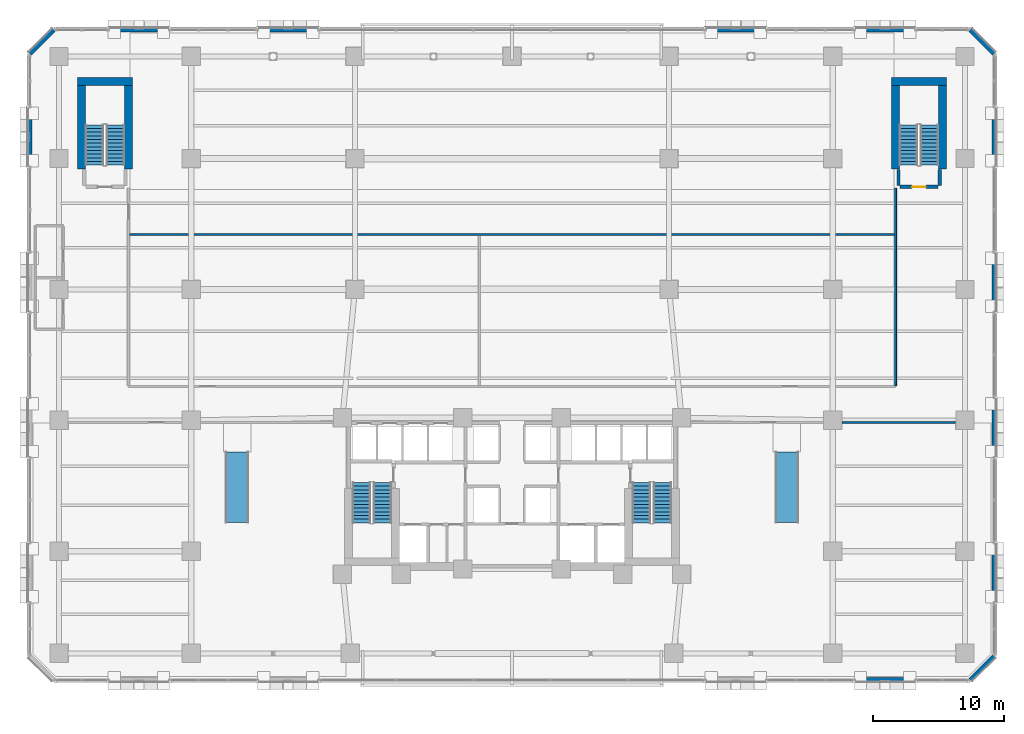
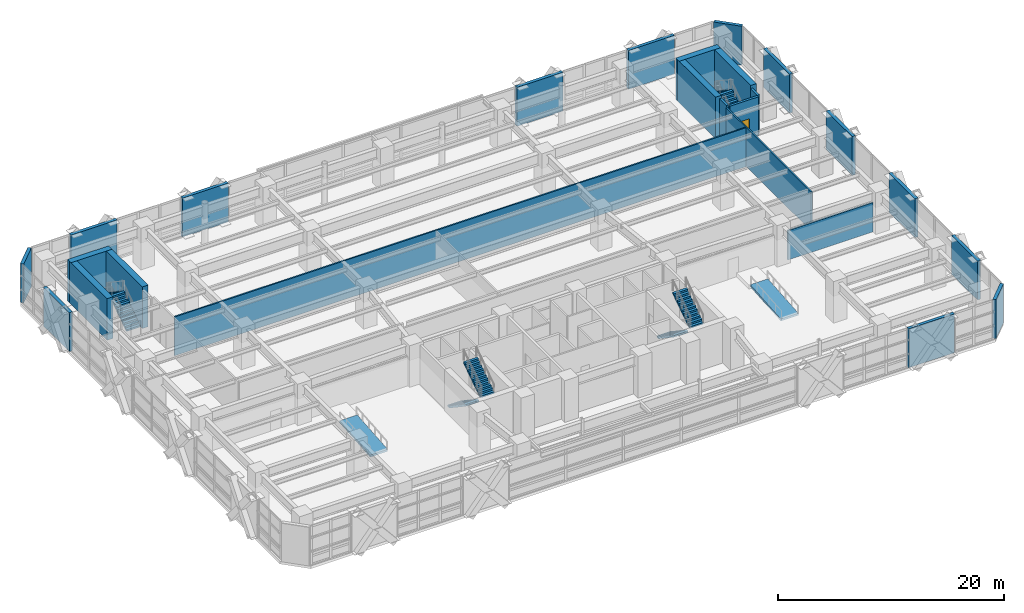
# One storey, part 19 of 30: 25 walls, 8 stair flights, 2 ramp flights, 1 door, 1 opening, 6 elements without a shape of their own.
"""IFC4 building model written with IfcOpenShell, lengths in metres."""

from ifc_helpers import new_model, si_unit, direction, frame, frame_2d, origin, place, context, subcontext, project, spatial, polyline, rectangle, outline, extrude, material, layer, layer_set, type_object, element, fill, aggregate, save


model = new_model("IFC4")

# Units and contexts
model_context = context("Model", 3, precision=1e-05, world=origin(), true_north=direction((0.0, 1.0)))
body_context = subcontext(model_context, "Body", "Model", "MODEL_VIEW")
ifc_project = project(units=[si_unit("LENGTHUNIT", "METRE"), si_unit("AREAUNIT", "SQUARE_METRE"), si_unit("VOLUMEUNIT", "CUBIC_METRE"), si_unit("PLANEANGLEUNIT", "RADIAN"), si_unit("MASSUNIT", "GRAM", prefix="KILO")], contexts=[model_context])

# Site, building, storey
site_placement = place(None, origin())
site = spatial("IfcSite", under=ifc_project, at=site_placement, CompositionType="ELEMENT")
building_placement = place(site_placement, origin())
building = spatial("IfcBuilding", under=site, at=building_placement, Name="Quenlor Broadcast Tower", CompositionType="ELEMENT")
storey_placement = place(building_placement, frame((0.0, 0.0, 9.5)))
storey = spatial("IfcBuildingStorey", under=building, at=storey_placement, Name="L02", CompositionType="ELEMENT", Elevation=9.5)

# Walls
ifc_material_1 = material(Name="Acoustic Double Stud Gypsum Partition", Category="other")
ifc_layer_1 = layer(ifc_material_1, 0.14990234375)
ifc_layer_set_1 = layer_set([ifc_layer_1], Name="Broadcast Studio Acoustic Partition 150")
wall_type_1 = type_object("IfcWallType", Name="Broadcast Studio Acoustic Partition 150", PredefinedType="PARTITIONING", material=ifc_layer_set_1)
wall_1_placement = place(storey_placement, frame((29.300048828125, -2.337890625, 0.0), z_axis=(0.0, 0.0, 1.0), x_axis=(0.0, 1.0, 0.0)))
element("IfcWall", 1, at=wall_1_placement, inside=storey, type_object=wall_type_1, Name="L02 Interior Wall PW-PD-LE", PredefinedType="PARTITIONING", context=body_context, shape_type="SweptSolid", body=[
    extrude(rectangle(XDim=15.087890625, YDim=0.14990234375, at=frame_2d((7.5439453125, 0.0))), origin(), (0.0, 0.0, 1.0), 4.199951171875),
])
wall_2_placement = place(storey_placement, frame((-29.219970703125, 9.199951171875, 0.0), z_axis=(0.0, 0.0, 1.0), x_axis=(1.0, 0.0, 0.0)))
element("IfcWall", 2, at=wall_2_placement, inside=storey, type_object=wall_type_1, Name="L02 Interior Wall PW-PD-HY", PredefinedType="PARTITIONING", context=body_context, shape_type="SweptSolid", body=[
    extrude(rectangle(XDim=58.43994140625, YDim=0.14990234375, at=frame_2d((29.219970703125, 0.0))), origin(), (0.0, 0.0, 1.0), 4.199951171875),
])
ifc_material_2 = material(Name="Concrete C65/80", Category="concrete")
ifc_layer_2 = layer(ifc_material_2, 0.60009765625)
ifc_layer_set_2 = layer_set([ifc_layer_2], Name="Core Concrete C65/80 Shear Wall 600")
wall_type_2 = type_object("IfcWallType", Name="Core Concrete C65/80 Shear Wall 600", PredefinedType="SHEAR", material=ifc_layer_set_2)
wall_3_placement = place(storey_placement, frame((-33.199951171875, 20.89990234375, 0.0), z_axis=(0.0, 0.0, 1.0), x_axis=(1.0, 0.0, 0.0)))
element("IfcWall", 3, at=wall_3_placement, inside=storey, type_object=wall_type_2, Name="L02 Core Shear Wall ST3-N", PredefinedType="SHEAR", context=body_context, shape_type="SweptSolid", body=[
    extrude(rectangle(XDim=4.199951171875, YDim=0.60009765625, at=frame_2d((2.10009765625, 0.0))), origin(), (0.0, 0.0, 1.0), 4.5),
])
for number, where, z_axis, x_axis, name in (
    (4, (-32.89990234375, 14.199951171875, 0.0), (0.0, 0.0, 1.0), (0.0, 1.0, 0.0), "L02 Core Shear Wall ST3-W"),
    (5, (-29.300048828125, 14.199951171875, 0.0), (0.0, 0.0, 1.0), (0.0, 1.0, 0.0), "L02 Core Shear Wall ST3-E"),
):
    element("IfcWall", number, at=place(storey_placement, frame(where, z_axis=z_axis, x_axis=x_axis)), inside=storey, type_object=wall_type_2, Name=name, PredefinedType="SHEAR", context=body_context, shape_type="SweptSolid", body=[
        extrude(rectangle(XDim=6.699951171875, YDim=0.60009765625, at=frame_2d((3.35009765625, 0.0))), origin(), (0.0, 0.0, 1.0), 4.5),
    ])
wall_4_placement = place(storey_placement, frame((29.0, 20.89990234375, 0.0), z_axis=(0.0, 0.0, 1.0), x_axis=(1.0, 0.0, 0.0)))
element("IfcWall", 6, at=wall_4_placement, inside=storey, type_object=wall_type_2, Name="L02 Core Shear Wall ST4-N", PredefinedType="SHEAR", context=body_context, shape_type="SweptSolid", body=[
    extrude(rectangle(XDim=4.199951171875, YDim=0.60009765625, at=frame_2d((2.10009765625, 0.0))), origin(), (0.0, 0.0, 1.0), 4.5),
])
for number, where, z_axis, x_axis, name in (
    (7, (29.300048828125, 14.199951171875, 0.0), (0.0, 0.0, 1.0), (0.0, 1.0, 0.0), "L02 Core Shear Wall ST4-W"),
    (8, (32.89990234375, 14.199951171875, 0.0), (0.0, 0.0, 1.0), (0.0, 1.0, 0.0), "L02 Core Shear Wall ST4-E"),
):
    element("IfcWall", number, at=place(storey_placement, frame(where, z_axis=z_axis, x_axis=x_axis)), inside=storey, type_object=wall_type_2, Name=name, PredefinedType="SHEAR", context=body_context, shape_type="SweptSolid", body=[
        extrude(rectangle(XDim=6.699951171875, YDim=0.60009765625, at=frame_2d((3.35009765625, 0.0))), origin(), (0.0, 0.0, 1.0), 4.5),
    ])

# Wall, opening, door
ifc_material_3 = material(Name="Concrete C40/50", Category="concrete")
ifc_layer_3 = layer(ifc_material_3, 0.25)
ifc_layer_set_3 = layer_set([ifc_layer_3], Name="Fire Rated Concrete C40/50 Core Wall 250")
wall_type_3 = type_object("IfcWallType", Name="Fire Rated Concrete C40/50 Core Wall 250", PredefinedType="PARTITIONING", material=ifc_layer_set_3)
wall_5_placement = place(storey_placement, frame((29.64990234375, 12.840087890625, 0.0), z_axis=(0.0, 0.0, 1.0), x_axis=(1.0, 0.0, 0.0)))
wall_5 = element("IfcWall", 9, at=wall_5_placement, inside=storey, type_object=wall_type_3, Name="L02 Interior Wall CW-ST4-S", PredefinedType="PARTITIONING", context=body_context, shape_type="SweptSolid", body=[
    extrude(rectangle(XDim=2.900146484375, YDim=0.25, at=frame_2d((1.4501953125, 0.0))), origin(), (0.0, 0.0, 1.0), 4.199951171875),
])
opening_placement = place(wall_5_placement, frame((0.919921875, 0.0, 0.0)))
opening = element("IfcOpeningElement", 10, at=opening_placement, cuts=wall_5, Name="Opening FD-1", PredefinedType="OPENING", context=body_context, shape_type="SweptSolid", body=[
    extrude(rectangle(XDim=1.050048828125, YDim=2.14990234375, at=frame_2d((0.52490234375, 1.074951171875))), frame((0.0, 0.135009765625, 0.0), z_axis=(0.0, -1.0, 0.0), x_axis=(1.0, 0.0, 0.0)), (0.0, 0.0, 1.0), 0.27001953125),
])
ifc_material_4 = material(Name="Fire Rated Steel Door Leaf", Category="steel")
door_type = type_object("IfcDoorType", Name="Fire Isolated Stair Door 1050x2150", OperationType="NOTDEFINED", PredefinedType="DOOR", material=ifc_material_4)
door_placement = place(opening_placement, origin())
door = element("IfcDoor", 11, at=door_placement, inside=storey, type_object=door_type, Name="L02 Door DR-ST4", OperationType="SINGLE_SWING_RIGHT", OverallHeight=2.14990234375, OverallWidth=1.050048828125, PredefinedType="DOOR", context=body_context, shape_type="SweptSolid", body=[
    extrude(rectangle(XDim=1.050048828125, YDim=2.14990234375, at=frame_2d((0.52490234375, 1.074951171875))), frame((0.0, 0.02490234375, 0.0), z_axis=(0.0, -1.0, 0.0), x_axis=(1.0, 0.0, 0.0)), (0.0, 0.0, 1.0), 0.050048828125),
])
fill(opening, door)

# Walls
for number, where, z_axis, x_axis, name in (
    (12, (29.52001953125, 12.9599609375, 0.0), (0.0, 0.0, 1.0), (0.0, 1.0, 0.0), "L02 Interior Wall CW-ST4-W1"),
    (13, (32.679931640625, 12.9599609375, 0.0), (0.0, 0.0, 1.0), (0.0, 1.0, 0.0), "L02 Interior Wall CW-ST4-E1"),
):
    element("IfcWall", number, at=place(storey_placement, frame(where, z_axis=z_axis, x_axis=x_axis)), inside=storey, type_object=wall_type_3, Name=name, PredefinedType="PARTITIONING", context=body_context, shape_type="SweptSolid", body=[
        extrude(rectangle(XDim=1.219970703125, YDim=0.25, at=frame_2d((0.60986328125, 0.0))), origin(), (0.0, 0.0, 1.0), 4.199951171875),
    ])
ifc_material_5 = material(Name="Gypsum Fireboard Partition", Category="other")
ifc_layer_4 = layer(ifc_material_5, 0.159912109375)
ifc_layer_set_4 = layer_set([ifc_layer_4], Name="Fire Rated Shaft and Corridor Partition 160")
wall_type_4 = type_object("IfcWallType", Name="Fire Rated Shaft and Corridor Partition 160", PredefinedType="PARTITIONING", material=ifc_layer_set_4)
wall_6_placement = place(storey_placement, frame((25.201904296875, -5.14990234375, 0.0), z_axis=(0.0, 0.0, 1.0), x_axis=(1.0, 0.0, 0.0)))
element("IfcWall", 14, at=wall_6_placement, inside=storey, type_object=wall_type_4, Name="L02 Interior Wall PW-PD-CSES2", PredefinedType="PARTITIONING", context=body_context, shape_type="SweptSolid", body=[
    extrude(rectangle(XDim=8.696044921875, YDim=0.159912109375, at=frame_2d((4.34814453125, 0.0))), origin(), (0.0, 0.0, 1.0), 3.176025390625),
])
ifc_material_6 = material(Name="Precast concrete C40/50", Category="concrete")
ifc_layer_5 = layer(ifc_material_6, 0.320068359375)
ifc_layer_set_5 = layer_set([ifc_layer_5], Name="Station Podium Precast Concrete C40/50 Facade Wall 320")
wall_type_5 = type_object("IfcWallType", Name="Station Podium Precast Concrete C40/50 Facade Wall 320", PredefinedType="STANDARD", material=ifc_layer_set_5)
for number, where, z_axis, x_axis, name in (
    (15, (30.849609375, -24.820068359375, 0.0), (0.0, 0.0, 1.0), (-1.0, 0.0, 0.0), "L02 Exterior Wall L02-S-FULL-SP1"),
    (16, (-30.849609375, 24.820068359375, 0.0), (0.0, 0.0, 1.0), (1.0, 0.0, 0.0), "L02 Exterior Wall L02-N-FULL-SP1"),
):
    element("IfcWall", number, at=place(storey_placement, frame(where, z_axis=z_axis, x_axis=x_axis)), inside=storey, type_object=wall_type_5, Name=name, PredefinedType="STANDARD", context=body_context, shape_type="SweptSolid", body=[
        extrude(rectangle(XDim=4.69921875, YDim=0.320068359375, at=frame_2d((2.349609375, 0.0))), origin(), (0.0, 0.0, 1.0), 4.199951171875),
    ])
for number, where, z_axis, x_axis, name in (
    (17, (-19.449462890625, 24.820068359375, 0.0), (0.0, 0.0, 1.0), (1.0, 0.0, 0.0), "L02 Exterior Wall L02-N-FULL-SP2"),
    (18, (14.75048828125, 24.820068359375, 0.0), (0.0, 0.0, 1.0), (1.0, 0.0, 0.0), "L02 Exterior Wall L02-N-FULL-SP3"),
):
    element("IfcWall", number, at=place(storey_placement, frame(where, z_axis=z_axis, x_axis=x_axis)), inside=storey, type_object=wall_type_5, Name=name, PredefinedType="STANDARD", context=body_context, shape_type="SweptSolid", body=[
        extrude(rectangle(XDim=4.698974609375, YDim=0.320068359375, at=frame_2d((2.349609375, 0.0))), origin(), (0.0, 0.0, 1.0), 4.199951171875),
    ])
wall_7_placement = place(storey_placement, frame((26.150390625, 24.820068359375, 0.0), z_axis=(0.0, 0.0, 1.0), x_axis=(1.0, 0.0, 0.0)))
element("IfcWall", 19, at=wall_7_placement, inside=storey, type_object=wall_type_5, Name="L02 Exterior Wall L02-N-FULL-SP4", PredefinedType="STANDARD", context=body_context, shape_type="SweptSolid", body=[
    extrude(rectangle(XDim=4.69921875, YDim=0.320068359375, at=frame_2d((2.349609375, 0.0))), origin(), (0.0, 0.0, 1.0), 4.199951171875),
])
for number, where, z_axis, x_axis, name in (
    (20, (-36.820068359375, 14.347412109375, 0.0), (0.0, 0.0, 1.0), (0.0, 1.0, 0.0), "L02 Exterior Wall L02-W-FULL-SP4"),
    (21, (36.820068359375, 18.95263671875, 0.0), (0.0, 0.0, 1.0), (0.0, -1.0, 0.0), "L02 Exterior Wall L02-E-FULL-SP1"),
):
    element("IfcWall", number, at=place(storey_placement, frame(where, z_axis=z_axis, x_axis=x_axis)), inside=storey, type_object=wall_type_5, Name=name, PredefinedType="STANDARD", context=body_context, shape_type="SweptSolid", body=[
        extrude(rectangle(XDim=4.605224609375, YDim=0.320068359375, at=frame_2d((2.302734375, 0.0))), origin(), (0.0, 0.0, 1.0), 4.199951171875),
    ])
for number, where, z_axis, x_axis, name in (
    (22, (36.820068359375, 7.852783203125, 0.0), (0.0, 0.0, 1.0), (0.0, -1.0, 0.0), "L02 Exterior Wall L02-E-FULL-SP2"),
    (23, (36.820068359375, -3.247314453125, 0.0), (0.0, 0.0, 1.0), (0.0, -1.0, 0.0), "L02 Exterior Wall L02-E-FULL-SP3"),
):
    element("IfcWall", number, at=place(storey_placement, frame(where, z_axis=z_axis, x_axis=x_axis)), inside=storey, type_object=wall_type_5, Name=name, PredefinedType="STANDARD", context=body_context, shape_type="SweptSolid", body=[
        extrude(rectangle(XDim=4.60546875, YDim=0.320068359375, at=frame_2d((2.302734375, 0.0))), origin(), (0.0, 0.0, 1.0), 4.199951171875),
    ])
wall_8_placement = place(storey_placement, frame((36.820068359375, -14.347412109375, 0.0), z_axis=(0.0, 0.0, 1.0), x_axis=(0.0, -1.0, 0.0)))
element("IfcWall", 24, at=wall_8_placement, inside=storey, type_object=wall_type_5, Name="L02 Exterior Wall L02-E-FULL-SP4", PredefinedType="STANDARD", context=body_context, shape_type="SweptSolid", body=[
    extrude(rectangle(XDim=4.605224609375, YDim=0.320068359375, at=frame_2d((2.302734375, 0.0))), origin(), (0.0, 0.0, 1.0), 4.199951171875),
])
for number, where, z_axis, x_axis, name in (
    (25, (36.820068359375, -23.0, 0.0), (0.0, 0.0, 1.0), (-0.707106781187, -0.707106781187, 0.0), "L02 Exterior Wall L02-EW-CSE"),
    (26, (-36.820068359375, 23.0, 0.0), (0.0, 0.0, 1.0), (0.707106781187, 0.707106781187, 0.0), "L02 Exterior Wall L02-EW-CNW"),
    (27, (35.0, 24.820068359375, 0.0), (0.0, 0.0, 1.0), (0.707106781187, -0.707106781187, 0.0), "L02 Exterior Wall L02-EW-CNE"),
):
    element("IfcWall", number, at=place(storey_placement, frame(where, z_axis=z_axis, x_axis=x_axis)), inside=storey, type_object=wall_type_5, Name=name, PredefinedType="STANDARD", context=body_context, shape_type="SweptSolid", body=[
        extrude(rectangle(XDim=2.573974609375, YDim=0.320068359375, at=frame_2d((1.287109375, 0.0))), origin(), (0.0, 0.0, 1.0), 4.199951171875),
    ])

# Stair, stair flights
ifc_material_7 = material(Name="Precast concrete C40/50", Category="concrete")
stair_type = type_object("IfcStairType", Name="Precast Concrete C40/50 Dogleg Stair H450", PredefinedType="HALF_TURN_STAIR", material=ifc_material_7)
stair_1_placement = place(storey_placement, origin())
stair_1 = element("IfcStair", 28, at=stair_1_placement, inside=storey, type_object=stair_type, Name="L02 West Core Fire-Isolated Exit Stair ST-1", PredefinedType="HALF_TURN_STAIR")
ifc_material_8 = material(Name="Precast concrete C40/50", Category="concrete")
ifc_layer_6 = layer(ifc_material_8, 0.175048828125)
ifc_layer_set_6 = layer_set([ifc_layer_6], Name="Precast Concrete C40/50 Stair Flight H450")
stair_flight_type = type_object("IfcStairFlightType", Name="Precast Concrete C40/50 Stair Flight H450", PredefinedType="STRAIGHT", material=ifc_layer_set_6)
stair_flight_1_placement = place(storey_placement, frame((-11.5, -9.75, 0.0), z_axis=(0.0, 0.0, 1.0), x_axis=(0.0, -1.0, 0.0)))
stair_flight_1 = element("IfcStairFlight", 29, at=stair_flight_1_placement, type_object=stair_flight_type, Name="ST-1 flight 1", NumberOfRisers=12, NumberOfTreads=11, PredefinedType="STRAIGHT", RiserHeight=0.1875, TreadLength=0.28, context=body_context, shape_type="SweptSolid", body=[
    extrude(outline(polyline([(0.0, 0.0), (0.0, 0.1875), (0.280029296875, 0.1875), (0.280029296875, 0.375), (0.56005859375, 0.375), (0.56005859375, 0.5625), (0.840087890625, 0.5625), (0.840087890625, 0.75), (1.1201171875, 0.75), (1.1201171875, 0.9375), (1.39990234375, 0.9375), (1.39990234375, 1.125), (1.679931640625, 1.125), (1.679931640625, 1.3125), (1.9599609375, 1.3125), (1.9599609375, 1.5), (2.239990234375, 1.5), (2.239990234375, 1.6875), (2.52001953125, 1.6875), (2.52001953125, 1.875), (2.800048828125, 1.875), (2.800048828125, 2.0625), (3.080078125, 2.0625), (3.080078125, 2.25), (3.080078125, 1.882080078125), (0.26953125, 0.0), (0.0, 0.0)])), frame((0.0, 0.699951171875, 0.0), z_axis=(0.0, -1.0, 0.0), x_axis=(1.0, 0.0, 0.0)), (0.0, 0.0, 1.0), 1.39990234375),
])
stair_flight_2_placement = place(storey_placement, frame((-9.89990234375, -12.830078125, 2.25), z_axis=(0.0, 0.0, 1.0), x_axis=(0.0, 1.0, 0.0)))
stair_flight_2 = element("IfcStairFlight", 30, at=stair_flight_2_placement, type_object=stair_flight_type, Name="ST-1 flight 2", NumberOfRisers=12, NumberOfTreads=11, PredefinedType="STRAIGHT", RiserHeight=0.1875, TreadLength=0.28, context=body_context, shape_type="SweptSolid", body=[
    extrude(outline(polyline([(0.0, 0.0), (0.0, 0.1875), (0.280029296875, 0.1875), (0.280029296875, 0.375), (0.56005859375, 0.375), (0.56005859375, 0.5625), (0.840087890625, 0.5625), (0.840087890625, 0.75), (1.1201171875, 0.75), (1.1201171875, 0.9375), (1.39990234375, 0.9375), (1.39990234375, 1.125), (1.679931640625, 1.125), (1.679931640625, 1.3125), (1.9599609375, 1.3125), (1.9599609375, 1.5), (2.239990234375, 1.5), (2.239990234375, 1.6875), (2.52001953125, 1.6875), (2.52001953125, 1.875), (2.800048828125, 1.875), (2.800048828125, 2.0625), (3.080078125, 2.0625), (3.080078125, 2.25), (3.080078125, 1.882080078125), (0.26953125, 0.0), (0.0, 0.0)])), frame((0.0, 0.699951171875, 0.0), z_axis=(0.0, -1.0, 0.0), x_axis=(1.0, 0.0, 0.0)), (0.0, 0.0, 1.0), 1.39990234375),
])
aggregate(stair_1, [stair_flight_1, stair_flight_2])

stair_2_placement = place(storey_placement, origin())
stair_2 = element("IfcStair", 31, at=stair_2_placement, inside=storey, type_object=stair_type, Name="L02 East Core Fire-Isolated Exit Stair ST-2", PredefinedType="HALF_TURN_STAIR")
stair_flight_3_placement = place(storey_placement, frame((9.89990234375, -9.75, 0.0), z_axis=(0.0, 0.0, 1.0), x_axis=(0.0, -1.0, 0.0)))
stair_flight_3 = element("IfcStairFlight", 32, at=stair_flight_3_placement, type_object=stair_flight_type, Name="ST-2 flight 1", NumberOfRisers=12, NumberOfTreads=11, PredefinedType="STRAIGHT", RiserHeight=0.1875, TreadLength=0.28, context=body_context, shape_type="SweptSolid", body=[
    extrude(outline(polyline([(0.0, 0.0), (0.0, 0.1875), (0.280029296875, 0.1875), (0.280029296875, 0.375), (0.56005859375, 0.375), (0.56005859375, 0.5625), (0.840087890625, 0.5625), (0.840087890625, 0.75), (1.1201171875, 0.75), (1.1201171875, 0.9375), (1.39990234375, 0.9375), (1.39990234375, 1.125), (1.679931640625, 1.125), (1.679931640625, 1.3125), (1.9599609375, 1.3125), (1.9599609375, 1.5), (2.239990234375, 1.5), (2.239990234375, 1.6875), (2.52001953125, 1.6875), (2.52001953125, 1.875), (2.800048828125, 1.875), (2.800048828125, 2.0625), (3.080078125, 2.0625), (3.080078125, 2.25), (3.080078125, 1.882080078125), (0.26953125, 0.0), (0.0, 0.0)])), frame((0.0, 0.699951171875, 0.0), z_axis=(0.0, -1.0, 0.0), x_axis=(1.0, 0.0, 0.0)), (0.0, 0.0, 1.0), 1.39990234375),
])
stair_flight_4_placement = place(storey_placement, frame((11.5, -12.830078125, 2.25), z_axis=(0.0, 0.0, 1.0), x_axis=(0.0, 1.0, 0.0)))
stair_flight_4 = element("IfcStairFlight", 33, at=stair_flight_4_placement, type_object=stair_flight_type, Name="ST-2 flight 2", NumberOfRisers=12, NumberOfTreads=11, PredefinedType="STRAIGHT", RiserHeight=0.1875, TreadLength=0.28, context=body_context, shape_type="SweptSolid", body=[
    extrude(outline(polyline([(0.0, 0.0), (0.0, 0.1875), (0.280029296875, 0.1875), (0.280029296875, 0.375), (0.56005859375, 0.375), (0.56005859375, 0.5625), (0.840087890625, 0.5625), (0.840087890625, 0.75), (1.1201171875, 0.75), (1.1201171875, 0.9375), (1.39990234375, 0.9375), (1.39990234375, 1.125), (1.679931640625, 1.125), (1.679931640625, 1.3125), (1.9599609375, 1.3125), (1.9599609375, 1.5), (2.239990234375, 1.5), (2.239990234375, 1.6875), (2.52001953125, 1.6875), (2.52001953125, 1.875), (2.800048828125, 1.875), (2.800048828125, 2.0625), (3.080078125, 2.0625), (3.080078125, 2.25), (3.080078125, 1.882080078125), (0.26953125, 0.0), (0.0, 0.0)])), frame((0.0, 0.699951171875, 0.0), z_axis=(0.0, -1.0, 0.0), x_axis=(1.0, 0.0, 0.0)), (0.0, 0.0, 1.0), 1.39990234375),
])
aggregate(stair_2, [stair_flight_3, stair_flight_4])

stair_3_placement = place(storey_placement, origin())
stair_3 = element("IfcStair", 34, at=stair_3_placement, inside=storey, type_object=stair_type, Name="L02 Station Podium North-West Exit Stair ST-3", PredefinedType="HALF_TURN_STAIR")
stair_flight_5_placement = place(storey_placement, frame((-30.300048828125, 14.5, 0.0), z_axis=(0.0, 0.0, 1.0), x_axis=(0.0, 1.0, 0.0)))
stair_flight_5 = element("IfcStairFlight", 35, at=stair_flight_5_placement, type_object=stair_flight_type, Name="ST-3 flight 1", NumberOfRisers=12, NumberOfTreads=11, PredefinedType="STRAIGHT", RiserHeight=0.1875, TreadLength=0.28, context=body_context, shape_type="SweptSolid", body=[
    extrude(outline(polyline([(0.0, 0.0), (0.0, 0.1875), (0.280029296875, 0.1875), (0.280029296875, 0.375), (0.56005859375, 0.375), (0.56005859375, 0.5625), (0.840087890625, 0.5625), (0.840087890625, 0.75), (1.1201171875, 0.75), (1.1201171875, 0.9375), (1.39990234375, 0.9375), (1.39990234375, 1.125), (1.679931640625, 1.125), (1.679931640625, 1.3125), (1.9599609375, 1.3125), (1.9599609375, 1.5), (2.239990234375, 1.5), (2.239990234375, 1.6875), (2.52001953125, 1.6875), (2.52001953125, 1.875), (2.800048828125, 1.875), (2.800048828125, 2.0625), (3.080078125, 2.0625), (3.080078125, 2.25), (3.080078125, 1.882080078125), (0.26953125, 0.0), (0.0, 0.0)])), frame((0.0, 0.699951171875, 0.0), z_axis=(0.0, -1.0, 0.0), x_axis=(1.0, 0.0, 0.0)), (0.0, 0.0, 1.0), 1.39990234375),
])
stair_flight_6_placement = place(storey_placement, frame((-31.89990234375, 17.580078125, 2.25), z_axis=(0.0, 0.0, 1.0), x_axis=(0.0, -1.0, 0.0)))
stair_flight_6 = element("IfcStairFlight", 36, at=stair_flight_6_placement, type_object=stair_flight_type, Name="ST-3 flight 2", NumberOfRisers=12, NumberOfTreads=11, PredefinedType="STRAIGHT", RiserHeight=0.1875, TreadLength=0.28, context=body_context, shape_type="SweptSolid", body=[
    extrude(outline(polyline([(0.0, 0.0), (0.0, 0.1875), (0.280029296875, 0.1875), (0.280029296875, 0.375), (0.56005859375, 0.375), (0.56005859375, 0.5625), (0.840087890625, 0.5625), (0.840087890625, 0.75), (1.1201171875, 0.75), (1.1201171875, 0.9375), (1.39990234375, 0.9375), (1.39990234375, 1.125), (1.679931640625, 1.125), (1.679931640625, 1.3125), (1.9599609375, 1.3125), (1.9599609375, 1.5), (2.239990234375, 1.5), (2.239990234375, 1.6875), (2.52001953125, 1.6875), (2.52001953125, 1.875), (2.800048828125, 1.875), (2.800048828125, 2.0625), (3.080078125, 2.0625), (3.080078125, 2.25), (3.080078125, 1.882080078125), (0.26953125, 0.0), (0.0, 0.0)])), frame((0.0, 0.699951171875, 0.0), z_axis=(0.0, -1.0, 0.0), x_axis=(1.0, 0.0, 0.0)), (0.0, 0.0, 1.0), 1.39990234375),
])
aggregate(stair_3, [stair_flight_5, stair_flight_6])

stair_4_placement = place(storey_placement, origin())
stair_4 = element("IfcStair", 37, at=stair_4_placement, inside=storey, type_object=stair_type, Name="L02 Station Podium North-East Exit Stair ST-4", PredefinedType="HALF_TURN_STAIR")
stair_flight_7_placement = place(storey_placement, frame((31.89990234375, 14.5, 0.0), z_axis=(0.0, 0.0, 1.0), x_axis=(0.0, 1.0, 0.0)))
stair_flight_7 = element("IfcStairFlight", 38, at=stair_flight_7_placement, type_object=stair_flight_type, Name="ST-4 flight 1", NumberOfRisers=12, NumberOfTreads=11, PredefinedType="STRAIGHT", RiserHeight=0.1875, TreadLength=0.28, context=body_context, shape_type="SweptSolid", body=[
    extrude(outline(polyline([(0.0, 0.0), (0.0, 0.1875), (0.280029296875, 0.1875), (0.280029296875, 0.375), (0.56005859375, 0.375), (0.56005859375, 0.5625), (0.840087890625, 0.5625), (0.840087890625, 0.75), (1.1201171875, 0.75), (1.1201171875, 0.9375), (1.39990234375, 0.9375), (1.39990234375, 1.125), (1.679931640625, 1.125), (1.679931640625, 1.3125), (1.9599609375, 1.3125), (1.9599609375, 1.5), (2.239990234375, 1.5), (2.239990234375, 1.6875), (2.52001953125, 1.6875), (2.52001953125, 1.875), (2.800048828125, 1.875), (2.800048828125, 2.0625), (3.080078125, 2.0625), (3.080078125, 2.25), (3.080078125, 1.882080078125), (0.26953125, 0.0), (0.0, 0.0)])), frame((0.0, 0.699951171875, 0.0), z_axis=(0.0, -1.0, 0.0), x_axis=(1.0, 0.0, 0.0)), (0.0, 0.0, 1.0), 1.39990234375),
])
stair_flight_8_placement = place(storey_placement, frame((30.300048828125, 17.580078125, 2.25), z_axis=(0.0, 0.0, 1.0), x_axis=(0.0, -1.0, 0.0)))
stair_flight_8 = element("IfcStairFlight", 39, at=stair_flight_8_placement, type_object=stair_flight_type, Name="ST-4 flight 2", NumberOfRisers=12, NumberOfTreads=11, PredefinedType="STRAIGHT", RiserHeight=0.1875, TreadLength=0.28, context=body_context, shape_type="SweptSolid", body=[
    extrude(outline(polyline([(0.0, 0.0), (0.0, 0.1875), (0.280029296875, 0.1875), (0.280029296875, 0.375), (0.56005859375, 0.375), (0.56005859375, 0.5625), (0.840087890625, 0.5625), (0.840087890625, 0.75), (1.1201171875, 0.75), (1.1201171875, 0.9375), (1.39990234375, 0.9375), (1.39990234375, 1.125), (1.679931640625, 1.125), (1.679931640625, 1.3125), (1.9599609375, 1.3125), (1.9599609375, 1.5), (2.239990234375, 1.5), (2.239990234375, 1.6875), (2.52001953125, 1.6875), (2.52001953125, 1.875), (2.800048828125, 1.875), (2.800048828125, 2.0625), (3.080078125, 2.0625), (3.080078125, 2.25), (3.080078125, 1.882080078125), (0.26953125, 0.0), (0.0, 0.0)])), frame((0.0, 0.699951171875, 0.0), z_axis=(0.0, -1.0, 0.0), x_axis=(1.0, 0.0, 0.0)), (0.0, 0.0, 1.0), 1.39990234375),
])
aggregate(stair_4, [stair_flight_7, stair_flight_8])

# Ramp, ramp flight
ifc_material_9 = material(Name="Concrete C40/50", Category="concrete")
ramp_type = type_object("IfcRampType", Name="Accessible Concourse Concrete C40/50 Ramp 1800", PredefinedType="STRAIGHT_RUN_RAMP", material=ifc_material_9)
ramp_1_placement = place(storey_placement, origin())
ramp_1 = element("IfcRamp", 40, at=ramp_1_placement, inside=storey, type_object=ramp_type, Name="L02 Accessible Concourse Pedestrian Ramp 1", PredefinedType="STRAIGHT_RUN_RAMP")
ifc_material_10 = material(Name="Concrete C40/50", Category="concrete")
ifc_layer_7 = layer(ifc_material_10, 0.219970703125)
ifc_layer_set_7 = layer_set([ifc_layer_7], Name="Accessible Concrete C40/50 Ramp Flight 1800")
ramp_flight_type = type_object("IfcRampFlightType", Name="Accessible Concrete C40/50 Ramp Flight 1800", PredefinedType="STRAIGHT", material=ifc_layer_set_7)
ramp_flight_1_placement = place(storey_placement, frame((-21.0, -12.800048828125, 0.0), z_axis=(0.0, 0.0, 1.0), x_axis=(0.0, 1.0, 0.0)))
ramp_flight_1 = element("IfcRampFlight", 41, at=ramp_flight_1_placement, type_object=ramp_flight_type, Name="L02 Accessible Pedestrian Ramp Flight 1", PredefinedType="STRAIGHT", context=body_context, shape_type="SweptSolid", body=[
    extrude(outline(polyline([(0.0, 0.0), (5.39990234375, 0.449951171875), (5.39990234375, 0.229248046875), (0.0, -0.220703125), (0.0, 0.0)])), frame((0.0, 0.89990234375, 0.0), z_axis=(0.0, -1.0, 0.0), x_axis=(1.0, 0.0, 0.0)), (0.0, 0.0, 1.0), 1.800048828125),
])
aggregate(ramp_1, [ramp_flight_1])

ramp_2_placement = place(storey_placement, origin())
ramp_2 = element("IfcRamp", 42, at=ramp_2_placement, inside=storey, type_object=ramp_type, Name="L02 Accessible Concourse Pedestrian Ramp 2", PredefinedType="STRAIGHT_RUN_RAMP")
ramp_flight_2_placement = place(storey_placement, frame((21.0, -12.800048828125, 0.0), z_axis=(0.0, 0.0, 1.0), x_axis=(0.0, 1.0, 0.0)))
ramp_flight_2 = element("IfcRampFlight", 43, at=ramp_flight_2_placement, type_object=ramp_flight_type, Name="L02 Accessible Pedestrian Ramp Flight 2", PredefinedType="STRAIGHT", context=body_context, shape_type="SweptSolid", body=[
    extrude(outline(polyline([(0.0, 0.0), (5.39990234375, 0.449951171875), (5.39990234375, 0.229248046875), (0.0, -0.220703125), (0.0, 0.0)])), frame((0.0, 0.89990234375, 0.0), z_axis=(0.0, -1.0, 0.0), x_axis=(1.0, 0.0, 0.0)), (0.0, 0.0, 1.0), 1.800048828125),
])
aggregate(ramp_2, [ramp_flight_2])

save(model, "model.ifc")
